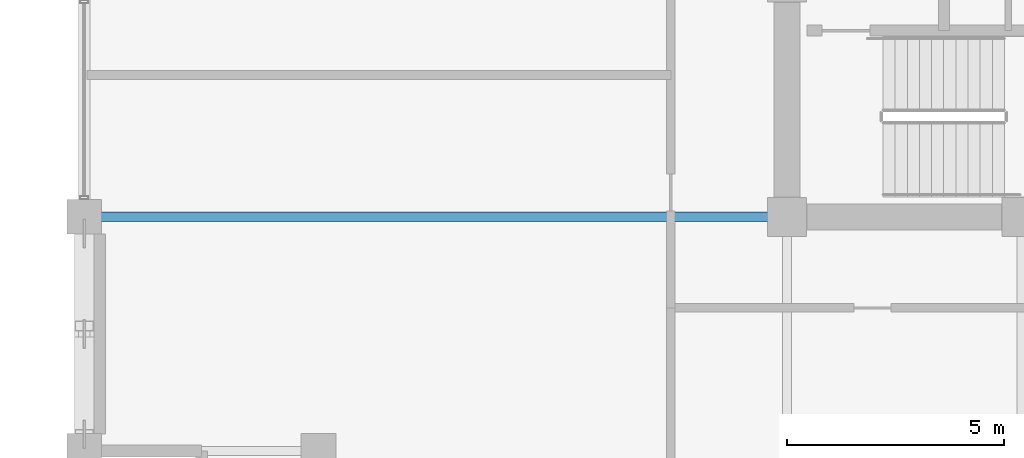
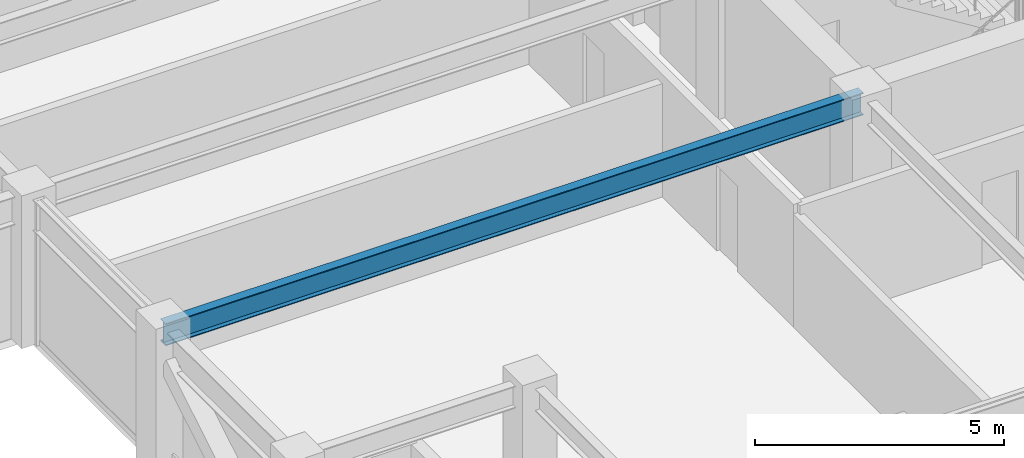
# One storey, part 5 of 32: 1 beam.
"""IFC4 building model written with IfcOpenShell, lengths in metres."""

from ifc_helpers import new_model, si_unit, direction, frame, origin, origin_2d, place, context, subcontext, project, spatial, i_section, extrude, material, material_profile, profile_set, type_object, element, save


model = new_model("IFC4")

# Units and contexts
model_context = context("Model", 3, precision=1e-05, world=origin(), true_north=direction((0.0, 1.0)))
body_context = subcontext(model_context, "Body", "Model", "MODEL_VIEW")
ifc_project = project(units=[si_unit("LENGTHUNIT", "METRE"), si_unit("AREAUNIT", "SQUARE_METRE"), si_unit("VOLUMEUNIT", "CUBIC_METRE"), si_unit("PLANEANGLEUNIT", "RADIAN"), si_unit("MASSUNIT", "GRAM", prefix="KILO")], contexts=[model_context])

# Site, building, storey
site_placement = place(None, origin())
site = spatial("IfcSite", under=ifc_project, at=site_placement, CompositionType="ELEMENT")
building_placement = place(site_placement, origin())
building = spatial("IfcBuilding", under=site, at=building_placement, Name="Surkhivell Harbour Commons", CompositionType="ELEMENT")
storey_placement = place(building_placement, frame((0.0, 0.0, 234.75)))
storey = spatial("IfcBuildingStorey", under=building, at=storey_placement, Name="L61", CompositionType="ELEMENT", Elevation=234.75)

# Beam
ifc_material = material(Name="Steel S355", Category="steel")
ifc_material_profile = material_profile(ifc_material, i_section(OverallWidth=0.2119140625, OverallDepth=0.5439453125, WebThickness=0.0126953125, FlangeThickness=0.021240234375, at=origin_2d()), Name="UB533x210x122")
ifc_profile_set = profile_set([ifc_material_profile], Name="Steel S355")
beam_type = type_object("IfcBeamType", Name="BM-GRD-533A", PredefinedType="BEAM", material=ifc_profile_set)
beam_placement = place(storey_placement, frame((-27.0, -10.800048828125, 3.298095703125), z_axis=(1.0, 0.0, 0.0), x_axis=(0.0, 1.0, 0.0)))
element("IfcBeam", 1, at=beam_placement, inside=storey, type_object=beam_type, Name="L61 Floor Girder (-27.0,-10.8)", PredefinedType="BEAM", context=body_context, shape_type="SweptSolid", body=[
    extrude(i_section(OverallWidth=0.2119140625, OverallDepth=0.5439453125, WebThickness=0.0126953125, FlangeThickness=0.021240234375, at=origin_2d()), origin(), (0.0, 0.0, 1.0), 16.199951171875),
])

save(model, "model.ifc")
